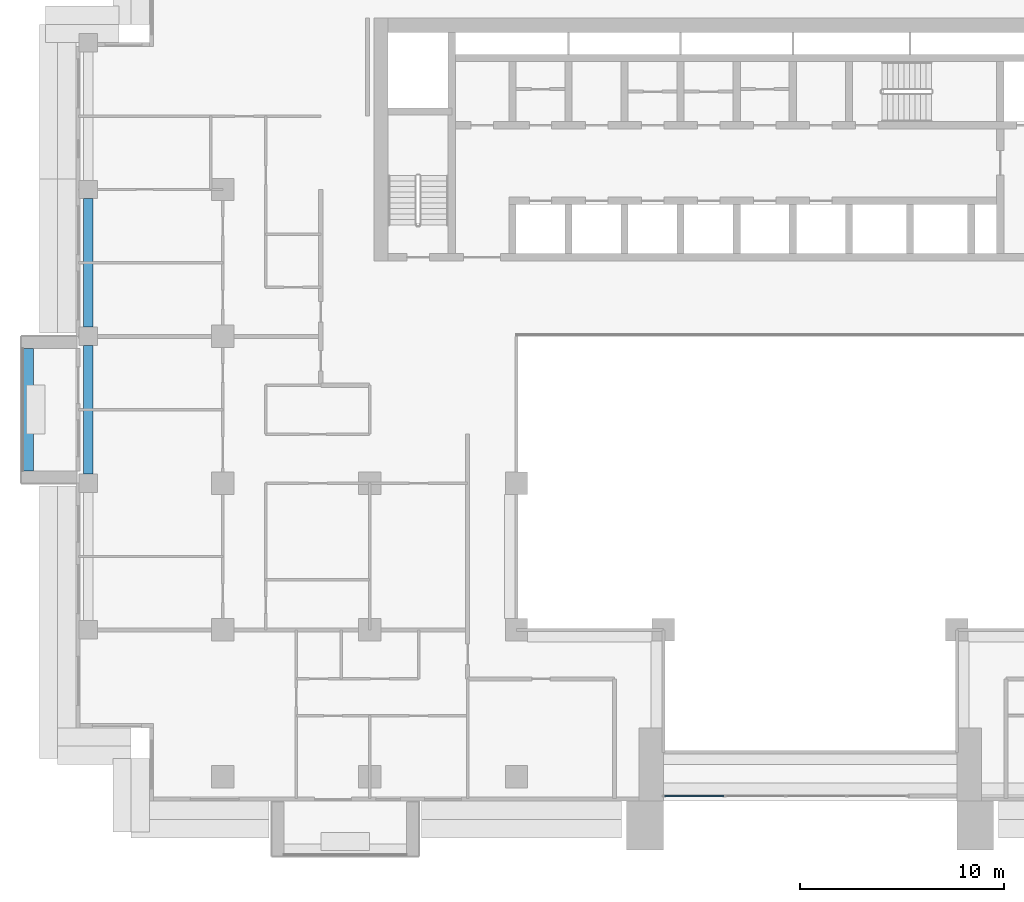
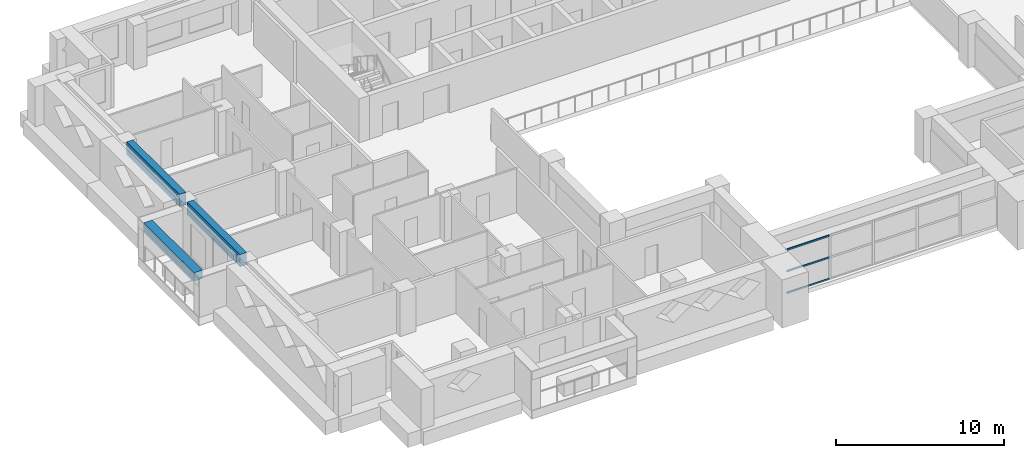
# One storey, part 3 of 19: 3 beams, 3 members, 1 element without a shape of its own.
"""IFC4 building model written with IfcOpenShell, lengths in metres."""

from ifc_helpers import new_model, si_unit, direction, frame, origin, origin_2d, place, context, subcontext, project, spatial, rectangle, extrude, source, transform, mapped, material, layer, layer_set, material_profile, profile_set, type_object, element, aggregate, save


model = new_model("IFC4")

# Units and contexts
model_context = context("Model", 3, precision=1e-05, world=origin(), true_north=direction((0.0, 1.0)))
body_context = subcontext(model_context, "Body", "Model", "MODEL_VIEW")
ifc_project = project(units=[si_unit("LENGTHUNIT", "METRE"), si_unit("AREAUNIT", "SQUARE_METRE"), si_unit("VOLUMEUNIT", "CUBIC_METRE"), si_unit("PLANEANGLEUNIT", "RADIAN"), si_unit("MASSUNIT", "GRAM", prefix="KILO")], contexts=[model_context])

# Site, building, storey
site_placement = place(None, origin())
site = spatial("IfcSite", under=ifc_project, at=site_placement, CompositionType="ELEMENT")
building_placement = place(site_placement, origin())
building = spatial("IfcBuilding", under=site, at=building_placement, Name="Saffron Iwan Residences", CompositionType="ELEMENT")
storey_placement = place(building_placement, frame((0.0, 0.0, 120.0)))
storey = spatial("IfcBuildingStorey", under=building, at=storey_placement, Name="L31", CompositionType="ELEMENT", Elevation=120.0)

# Beams
ifc_material_1 = material(Name="Concrete C50/60", Category="concrete")
ifc_material_profile_1 = material_profile(ifc_material_1, rectangle(XDim=0.449951171875, YDim=0.89990234375, at=origin_2d()), Name="RC 450x900")
ifc_profile_set_1 = profile_set([ifc_material_profile_1], Name="Concrete C50/60")
beam_type_1 = type_object("IfcBeamType", Name="SPANDREL BEAM RC 450x900 C50/60 TOP 3200", PredefinedType="SPANDREL", material=ifc_profile_set_1)
shared_shape_1 = source(origin(), body_context, "Body", "SweptSolid", [
    extrude(rectangle(XDim=0.449951171875, YDim=0.89990234375, at=origin_2d()), origin(), (0.0, 0.0, 1.0), 6.300048828125),
])
beam_1_placement = place(storey_placement, frame((15.0, 55.64990234375, 2.75), z_axis=(0.0, 1.0, 0.0), x_axis=(-1.0, 0.0, 0.0)))
element("IfcBeam", 1, at=beam_1_placement, inside=storey, type_object=beam_type_1, Name="Spandrel beam", PredefinedType="SPANDREL", context=body_context, shape_type="MappedRepresentation", body=[
    mapped(shared_shape_1, transform((0.0, 0.0, 0.0))),
])
shared_shape_2 = source(origin(), body_context, "Body", "SweptSolid", [
    extrude(rectangle(XDim=0.449951171875, YDim=0.89990234375, at=origin_2d()), origin(), (0.0, 0.0, 1.0), 6.2998046875),
])
beam_2_placement = place(storey_placement, frame((15.0, 62.85009765625, 2.75), z_axis=(0.0, 1.0, 0.0), x_axis=(-1.0, 0.0, 0.0)))
element("IfcBeam", 2, at=beam_2_placement, inside=storey, type_object=beam_type_1, Name="Spandrel beam", PredefinedType="SPANDREL", context=body_context, shape_type="MappedRepresentation", body=[
    mapped(shared_shape_2, transform((0.0, 0.0, 0.0))),
])

# Curtain wall, members
ifc_material_2 = material(Name="Clear glass, laminated double glazed", Category="glass")
ifc_layer = layer(ifc_material_2, 0.199951171875)
ifc_layer_set = layer_set([ifc_layer], Name="Clear glass, laminated double glazed")
curtain_wall_type = type_object("IfcCurtainWallType", Name="CW-B IWAN PORTAL", PredefinedType="NOTDEFINED", material=ifc_layer_set)
curtain_wall_placement = place(storey_placement, origin())
curtain_wall = element("IfcCurtainWall", 3, at=curtain_wall_placement, inside=storey, type_object=curtain_wall_type, Name="Iwan portal glazing L31.1", PredefinedType="NOTDEFINED")
ifc_material_3 = material(Name="Aluminium 6063-T6", Category="aluminium")
ifc_material_profile_2 = material_profile(ifc_material_3, rectangle(XDim=0.06005859375, YDim=0.1201171875, at=origin_2d()), Name="CW-B TRANSOM 60 x 120")
ifc_profile_set_2 = profile_set([ifc_material_profile_2], Name="Aluminium 6063-T6")
member_type = type_object("IfcMemberType", Name="CW-B TRANSOM 60 x 120", PredefinedType="USERDEFINED", material=ifc_profile_set_2)
shared_shape_3 = source(origin(), body_context, "Body", "SweptSolid", [
    extrude(rectangle(XDim=0.06005859375, YDim=0.1201171875, at=origin_2d()), origin(), (0.0, 0.0, 1.0), 2.909912109375),
])
member_1_placement = place(storey_placement, frame((43.260009765625, 39.85009765625, 0.030029296875), z_axis=(1.0, 0.0, 0.0), x_axis=(0.0, 1.0, 0.0)))
member_1 = element("IfcMember", 4, at=member_1_placement, type_object=member_type, Name="CW-B transom 1.1", ObjectType="TRANSOM", PredefinedType="USERDEFINED", context=body_context, shape_type="MappedRepresentation", body=[
    mapped(shared_shape_3, transform((0.0, 0.0, 0.0))),
])
member_2_placement = place(storey_placement, frame((43.260009765625, 39.85009765625, 1.60009765625), z_axis=(1.0, 0.0, 0.0), x_axis=(0.0, 1.0, 0.0)))
member_2 = element("IfcMember", 5, at=member_2_placement, type_object=member_type, Name="CW-B transom 1.2", ObjectType="TRANSOM", PredefinedType="USERDEFINED", context=body_context, shape_type="MappedRepresentation", body=[
    mapped(shared_shape_3, transform((0.0, 0.0, 0.0))),
])
member_3_placement = place(storey_placement, frame((43.260009765625, 39.85009765625, 3.169921875), z_axis=(1.0, 0.0, 0.0), x_axis=(0.0, 1.0, 0.0)))
member_3 = element("IfcMember", 6, at=member_3_placement, type_object=member_type, Name="CW-B transom 1.3", ObjectType="TRANSOM", PredefinedType="USERDEFINED", context=body_context, shape_type="MappedRepresentation", body=[
    mapped(shared_shape_3, transform((0.0, 0.0, 0.0))),
])
aggregate(curtain_wall, [member_1, member_2, member_3])

# Beam
ifc_material_4 = material(Name="Concrete C50/60 white painted", Category="concrete")
ifc_material_profile_3 = material_profile(ifc_material_4, rectangle(XDim=0.60009765625, YDim=0.60009765625, at=origin_2d()), Name="BALCONY FASCIA BEAM 600 x 600")
ifc_profile_set_3 = profile_set([ifc_material_profile_3], Name="Concrete C50/60 white painted")
beam_type_2 = type_object("IfcBeamType", Name="BALCONY FASCIA BEAM 600 x 600", PredefinedType="BEAM", material=ifc_profile_set_3)
shared_shape_4 = source(origin(), body_context, "Body", "SweptSolid", [
    extrude(rectangle(XDim=0.60009765625, YDim=0.60009765625, at=origin_2d()), origin(), (0.0, 0.0, 1.0), 6.0),
])
beam_3_placement = place(storey_placement, frame((12.0, 61.800048828125, 2.550048828125), z_axis=(0.0, -1.0, 0.0), x_axis=(1.0, 0.0, 0.0)))
element("IfcBeam", 7, at=beam_3_placement, inside=storey, type_object=beam_type_2, Name="Balcony fascia beam L31 F8-0", PredefinedType="BEAM", context=body_context, shape_type="MappedRepresentation", body=[
    mapped(shared_shape_4, transform((0.0, 0.0, 0.0))),
])

save(model, "model.ifc")
